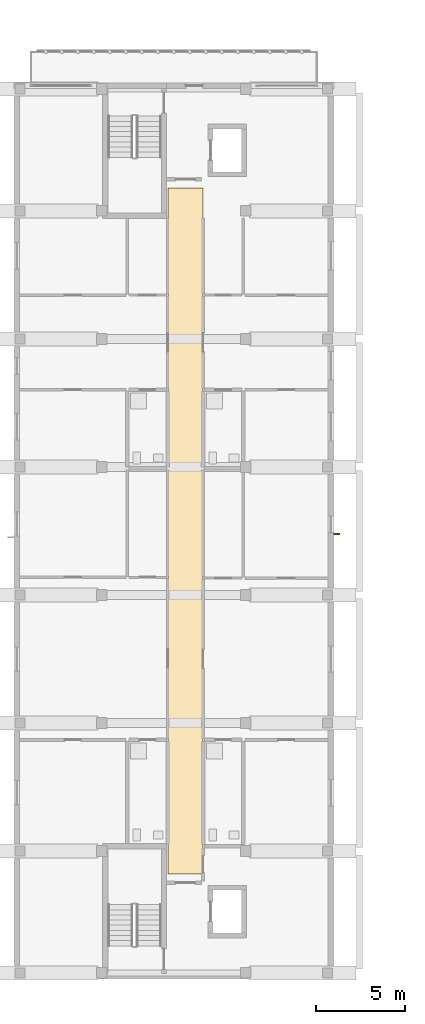
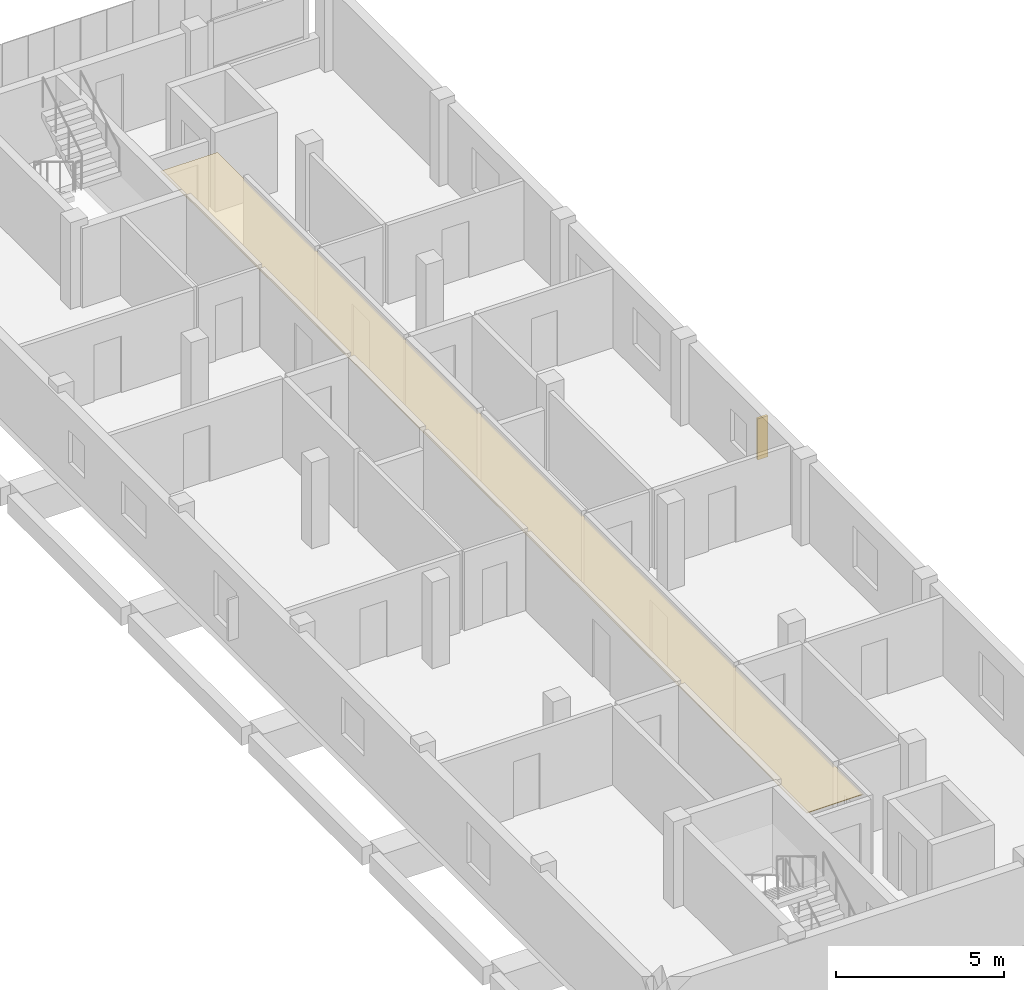
# One storey, part 36 of 41: 1 covering, 1 shading device.
"""IFC4 building model written with IfcOpenShell, lengths in metres."""

from ifc_helpers import new_model, si_unit, derived_unit, direction, frame, origin, origin_2d, place, context, subcontext, project, spatial, polyline, rectangle, outline, extrude, material, layer, layer_set, type_object, element, save


model = new_model("IFC4")

# Units and contexts
model_context = context("Model", 3, precision=1e-05, world=origin(), true_north=direction((0.0, 1.0)))
body_context = subcontext(model_context, "Body", "Model", "MODEL_VIEW")
ifc_project = project(units=[si_unit("LENGTHUNIT", "METRE"), si_unit("AREAUNIT", "SQUARE_METRE"), si_unit("VOLUMEUNIT", "CUBIC_METRE"), si_unit("PLANEANGLEUNIT", "RADIAN"), si_unit("MASSUNIT", "GRAM", prefix="KILO"), derived_unit("THERMALTRANSMITTANCEUNIT", [(si_unit("MASSUNIT", "GRAM", prefix="KILO"), 1), (si_unit("TIMEUNIT", "SECOND"), -3), (si_unit("THERMODYNAMICTEMPERATUREUNIT", "KELVIN"), -1)])], contexts=[model_context])

# Site, building, storey
site_placement = place(None, origin())
site = spatial("IfcSite", under=ifc_project, at=site_placement, CompositionType="ELEMENT")
building_placement = place(site_placement, origin())
building = spatial("IfcBuilding", under=site, at=building_placement, Name="Ochrekiln Boulevard Commons", CompositionType="ELEMENT")
storey_placement = place(building_placement, frame((0.0, 0.0, 21.52490234375)))
storey = spatial("IfcBuildingStorey", under=building, at=storey_placement, Name="L06", CompositionType="ELEMENT", Elevation=21.52490234375)

# Covering
ifc_material_1 = material(Name="Mineral-fibre acoustic ceiling tile")
ifc_layer = layer(ifc_material_1, 0.02490234375)
ifc_layer_set = layer_set([ifc_layer], Name="Mineral-fibre acoustic ceiling tile")
covering_type = type_object("IfcCoveringType", Name="COV-CEIL-AC", PredefinedType="CEILING", material=ifc_layer_set)
covering_placement = place(storey_placement, frame((0.0, 0.0, 2.650146484375)))
element("IfcCovering", 1, at=covering_placement, inside=storey, type_object=covering_type, Name="L06 Acoustic Corridor Ceiling 53", PredefinedType="CEILING", context=body_context, shape_type="SweptSolid", body=[
    extrude(outline(polyline([(159.8701171875, 5.919921875), (161.830078125, 5.919921875), (161.830078125, 44.47998046875), (159.8701171875, 44.47998046875), (159.8701171875, 5.919921875)])), origin(), (0.0, 0.0, 1.0), 0.02490234375),
])

# Shading device
ifc_material_2 = material(Name="Glazed architectural terracotta ASTM C1405", Category="masonry")
shading_device_type = type_object("IfcShadingDeviceType", Name="SHD-FIN-TERRA", PredefinedType="JALOUSIE", material=ifc_material_2)
shading_device_placement = place(storey_placement, frame((169.3701171875, 25.02490234375, 0.7001953125), z_axis=(0.0, 0.0, 1.0), x_axis=(1.0, 0.0, 0.0)))
element("IfcShadingDevice", 2, at=shading_device_placement, inside=storey, type_object=shading_device_type, Name="Terracotta Solar Shading Fin SF-01 (65)", PredefinedType="JALOUSIE", context=body_context, shape_type="SweptSolid", body=[
    extrude(rectangle(XDim=0.35009765625, YDim=0.080078125, at=origin_2d()), origin(), (0.0, 0.0, 1.0), 1.5),
])

save(model, "model.ifc")
